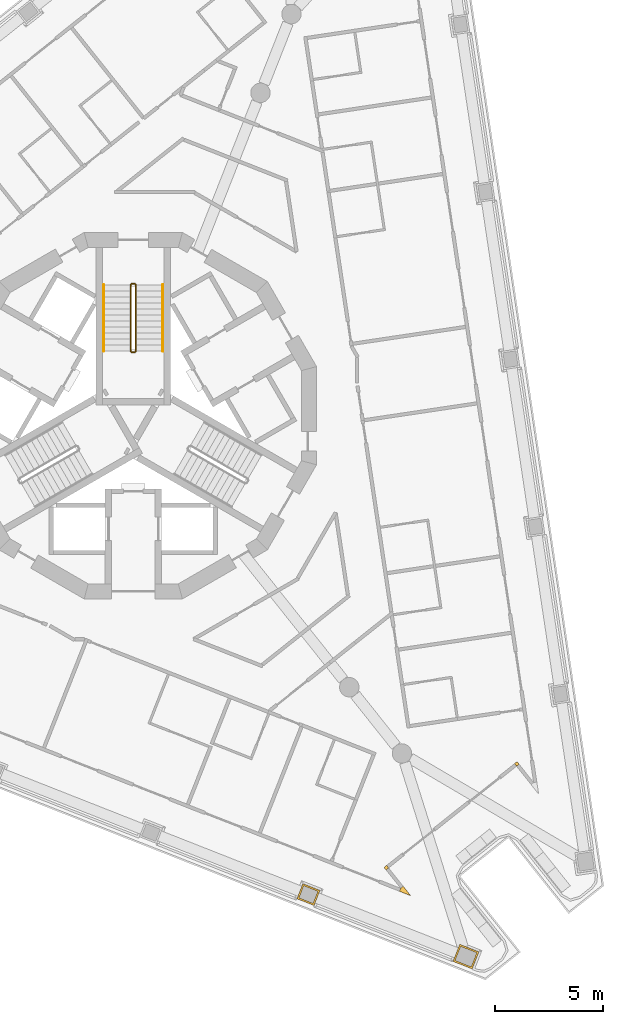
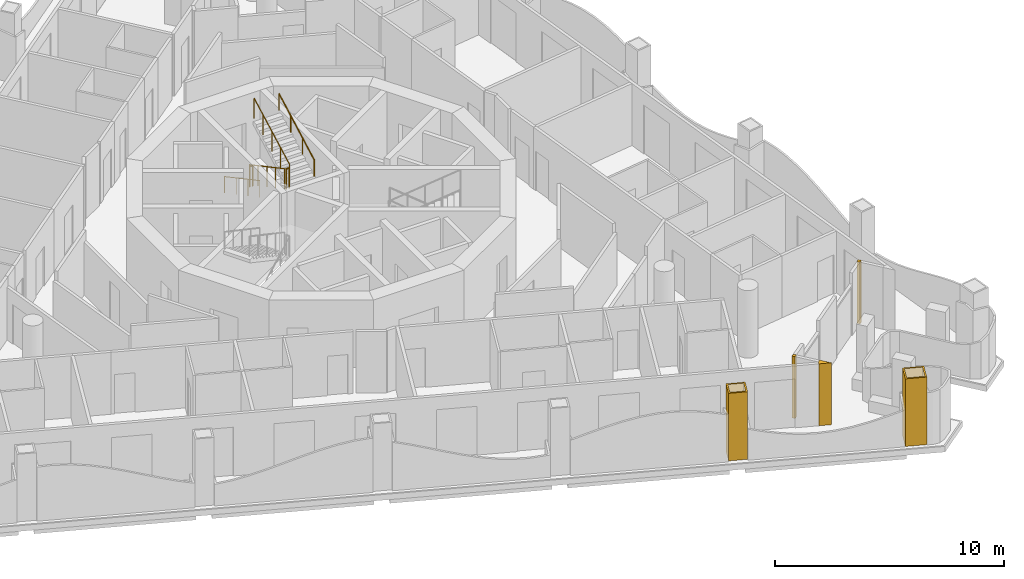
# One storey, part 13 of 16: 6 railings, 5 coverings.
"""IFC4 building model written with IfcOpenShell, lengths in metres."""

import ifcopenshell
import ifcopenshell.guid

model = None  # the IFC model being written
_history = None  # IfcOwnerHistory: only IFC2X3 demands one
_inside = {}  # id of a spatial element -> (the spatial element, [elements in it])
_under = {}  # id of a project, library or spatial element -> (it, [spatial elements below it])
_declared = {}  # id of a project -> (the project, [libraries it declares])
_typed = {}  # id of a type object -> (the type object, [elements of that type])
_made_of = {}  # id of a material, layer set ... -> (it, [elements and type objects made of it])


def new_model(schema):
    """Start an empty IFC model of exactly this schema.

    Asked for "IFC4X3", IfcOpenShell would pick the latest addendum, in which some entities
    have other attributes; the version numbers below select the first issue.
    IFC2X3 requires an IfcOwnerHistory on every rooted entity: one is made here for all.
    """
    global model, _history
    if schema == "IFC4X3":
        model = ifcopenshell.file(schema_version=(4, 3, 0, 0))
    else:
        model = ifcopenshell.file(schema=schema)
    _inside.clear()
    _under.clear()
    _declared.clear()
    _typed.clear()
    _made_of.clear()
    _history = None
    if model.schema == "IFC2X3":
        org = make("IfcOrganization", Name="unknown")
        user = make(
            "IfcPersonAndOrganization",
            ThePerson=make("IfcPerson", FamilyName="unknown"),
            TheOrganization=org,
        )
        app = make(
            "IfcApplication",
            ApplicationDeveloper=org,
            Version="unknown",
            ApplicationFullName="unknown",
            ApplicationIdentifier="unknown",
        )
        _history = make(
            "IfcOwnerHistory",
            OwningUser=user,
            OwningApplication=app,
            ChangeAction="ADDED",
            CreationDate=0,
        )
    return model


def make(cls, **values):
    """One entity of the class cls with the attributes given. An attribute that is None is left unset."""
    return model.create_entity(
        cls, **{name: value for name, value in values.items() if value is not None}
    )


def rooted(cls, **values):
    """An entity with a GlobalId (a new one), such as an element, a storey or a relation."""
    return make(cls, GlobalId=ifcopenshell.guid.new(), OwnerHistory=_history, **values)


def si_unit(unit_type, name, prefix=None):
    """IfcSIUnit, for example si_unit("LENGTHUNIT", "METRE", prefix="MILLI")."""
    return make("IfcSIUnit", UnitType=unit_type, Prefix=prefix, Name=name)


def assignment(units):
    """IfcUnitAssignment: the units of a project."""
    return None if units is None else make("IfcUnitAssignment", Units=units)


def point(xyz):
    """IfcCartesianPoint."""
    return None if xyz is None else make("IfcCartesianPoint", Coordinates=xyz)


def direction(xyz):
    """IfcDirection."""
    return None if xyz is None else make("IfcDirection", DirectionRatios=xyz)


def frame(location, z_axis=None, x_axis=None):
    """IfcAxis2Placement3D, a coordinate frame: its origin and axes. An axis left out is left unset."""
    return make(
        "IfcAxis2Placement3D",
        Location=point(location),
        Axis=direction(z_axis),
        RefDirection=direction(x_axis),
    )


def frame_2d(location, x_axis=None):
    """IfcAxis2Placement2D, a coordinate frame in the plane: its origin and x axis."""
    return make(
        "IfcAxis2Placement2D", Location=point(location), RefDirection=direction(x_axis)
    )


def origin():
    """The frame at (0, 0, 0) with its axes left unset."""
    return frame((0.0, 0.0, 0.0))


def origin_2d():
    """The frame at (0, 0) in the plane with its x axis left unset."""
    return frame_2d((0.0, 0.0))


def place(relative_to, where):
    """IfcLocalPlacement: puts the frame where relative to a parent placement (None: the world)."""
    return make(
        "IfcLocalPlacement", PlacementRelTo=relative_to, RelativePlacement=where
    )


def context(
    kind, dimensions, precision=None, world=None, true_north=None, identifier=None
):
    """IfcGeometricRepresentationContext, for example the 3D "Model" context."""
    return make(
        "IfcGeometricRepresentationContext",
        ContextIdentifier=identifier,
        ContextType=kind,
        CoordinateSpaceDimension=dimensions,
        Precision=precision,
        WorldCoordinateSystem=world,
        TrueNorth=true_north,
    )


def subcontext(parent, identifier, kind, view, scale=None):
    """IfcGeometricRepresentationSubContext, for example "Body" below "Model"."""
    return make(
        "IfcGeometricRepresentationSubContext",
        ContextIdentifier=identifier,
        ContextType=kind,
        ParentContext=parent,
        TargetScale=scale,
        TargetView=view,
    )


def project(units=None, contexts=None):
    """IfcProject with its units and contexts."""
    return rooted(
        "IfcProject",
        Name="project",
        RepresentationContexts=contexts,
        UnitsInContext=assignment(units),
    )


def spatial(cls, under=None, at=None, **own):
    """A site, building, storey or space (cls), placed at a placement, below another one or the project."""
    s = rooted(cls, ObjectPlacement=at, **own)
    if under is not None:
        _under.setdefault(under.id(), (under, []))[1].append(s)
    return s


def polyline(points):
    """IfcPolyline through the points."""
    return make("IfcPolyline", Points=[point(p) for p in points])


def profile(cls, at=None, kind="AREA", **sizes):
    """A parametric profile (cls). Its sizes go by their IFC names, for example OverallWidth=200.0."""
    return make(cls, ProfileType=kind, Position=at, **sizes)


def circle(**sizes):
    """IfcCircleProfileDef."""
    return profile("IfcCircleProfileDef", **sizes)


def outline(outer, holes=None, kind="AREA"):
    """IfcArbitraryClosedProfileDef: a profile drawn as a closed curve; with holes, ...WithVoids."""
    if holes is None:
        return make("IfcArbitraryClosedProfileDef", ProfileType=kind, OuterCurve=outer)
    return make(
        "IfcArbitraryProfileDefWithVoids",
        ProfileType=kind,
        OuterCurve=outer,
        InnerCurves=holes,
    )


def extrude(swept, where, along, depth):
    """IfcExtrudedAreaSolid: the profile swept, set in the frame where, extruded along a direction by depth."""
    return make(
        "IfcExtrudedAreaSolid",
        SweptArea=swept,
        Position=where,
        ExtrudedDirection=direction(along),
        Depth=depth,
    )


def shape(context_of_items, identifier, shape_type, items):
    """IfcShapeRepresentation: the items that make up one representation, for example the "Body"."""
    return make(
        "IfcShapeRepresentation",
        ContextOfItems=context_of_items,
        RepresentationIdentifier=identifier,
        RepresentationType=shape_type,
        Items=items,
    )


def material(Name=None, Category=None):
    """IfcMaterial."""
    return make("IfcMaterial", Name=Name, Category=Category)


def layer(
    of_material, thickness, ventilated=None, Name=None, Category=None, Priority=None
):
    """IfcMaterialLayer: one layer of a wall or slab, of a material (None: an air gap)."""
    return make(
        "IfcMaterialLayer",
        Material=of_material,
        LayerThickness=thickness,
        IsVentilated=ventilated,
        Name=Name,
        Category=Category,
        Priority=Priority,
    )


def layer_set(layers, Name=None):
    """IfcMaterialLayerSet."""
    return make("IfcMaterialLayerSet", MaterialLayers=layers, LayerSetName=Name)


def made_of(thing, what):
    """Note that an element or type object is made of a material, layer set ...; save() writes the relation."""
    if what is not None:
        _made_of.setdefault(what.id(), (what, []))[1].append(thing)
    return thing


def type_object(cls, material=None, **own):
    """A type object (cls), such as IfcWallType, which elements share."""
    return made_of(rooted(cls, **own), material)


def element(
    cls,
    number,
    at=None,
    inside=None,
    cuts=None,
    type_object=None,
    material=None,
    context=None,
    identifier="Body",
    shape_type=None,
    held_by="IfcProductDefinitionShape",
    body=None,
    shapes=None,
    **own,
):
    """One element of the class cls, such as IfcWall. Its Tag is "e" and its number.

    at: its placement. inside: the storey or other place that contains it. cuts: it is an
    opening in that element (IfcRelVoidsElement). A single representation is given by context,
    identifier, shape_type and body (its items); several are given by shapes. held_by: the class
    of the entity that holds the representations. save() writes the other relations.
    """
    e = rooted(cls, Tag="e%d" % number, ObjectPlacement=at, **own)
    if body is not None:
        shapes = [shape(context, identifier, shape_type, body)]
    if shapes is not None:
        e.Representation = make(held_by, Representations=shapes)
    if inside is not None:
        _inside.setdefault(inside.id(), (inside, []))[1].append(e)
    if cuts is not None:
        rooted(
            "IfcRelVoidsElement", RelatingBuildingElement=cuts, RelatedOpeningElement=e
        )
    if type_object is not None:
        _typed.setdefault(type_object.id(), (type_object, []))[1].append(e)
    return made_of(e, material)


def aggregate(whole, parts):
    """IfcRelAggregates: a whole, such as a stair, and the parts it consists of."""
    return rooted("IfcRelAggregates", RelatingObject=whole, RelatedObjects=parts)


def save(model, path):
    """Write the relations noted so far, then the file.

    IfcRelAggregates (storeys below a building ...), IfcRelContainedInSpatialStructure (elements
    in a storey), IfcRelDefinesByType, IfcRelAssociatesMaterial and IfcRelDeclares: one each for
    every whole, place, type object, material and project.
    """
    for whole, parts in _under.values():
        aggregate(whole, parts)
    for where, things in _inside.values():
        rooted(
            "IfcRelContainedInSpatialStructure",
            RelatedElements=things,
            RelatingStructure=where,
        )
    for kind, things in _typed.values():
        rooted("IfcRelDefinesByType", RelatedObjects=things, RelatingType=kind)
    for what, things in _made_of.values():
        rooted("IfcRelAssociatesMaterial", RelatedObjects=things, RelatingMaterial=what)
    for by, libraries in _declared.values():
        rooted("IfcRelDeclares", RelatingContext=by, RelatedDefinitions=libraries)
    model.write(path)


model = new_model("IFC4")

# Units and contexts
model_context = context("Model", 3, precision=1e-05, world=origin(), true_north=direction((0.0, 1.0)))
body_context = subcontext(model_context, "Body", "Model", "MODEL_VIEW")
ifc_project = project(units=[si_unit("LENGTHUNIT", "METRE"), si_unit("AREAUNIT", "SQUARE_METRE"), si_unit("VOLUMEUNIT", "CUBIC_METRE"), si_unit("PLANEANGLEUNIT", "RADIAN"), si_unit("MASSUNIT", "GRAM", prefix="KILO")], contexts=[model_context])

# Site, building, storey
site_placement = place(None, origin())
site = spatial("IfcSite", under=ifc_project, at=site_placement, CompositionType="ELEMENT")
building_placement = place(site_placement, origin())
building = spatial("IfcBuilding", under=site, at=building_placement, Name="Trine Commons Tower", CompositionType="ELEMENT")
storey_placement = place(building_placement, frame((0.0, 0.0, 201.60009765625)))
storey = spatial("IfcBuildingStorey", under=building, at=storey_placement, Name="L52", CompositionType="ELEMENT", Elevation=201.60009765625)

# Coverings
ifc_material_1 = material(Name="Aluminium-framed insulated wall panel", Category="aluminium")
ifc_layer_1 = layer(ifc_material_1, 0.14990234375)
ifc_layer_set_1 = layer_set([ifc_layer_1], Name="Aluminium-framed insulated wall panel")
covering_type_1 = type_object("IfcCoveringType", Name="Glazing corner post, aluminium", PredefinedType="CLADDING", material=ifc_layer_set_1)
covering_1_placement = place(storey_placement, origin())
element("IfcCovering", 1, at=covering_1_placement, inside=storey, type_object=covering_type_1, Name="Glazing corner post 6-07", PredefinedType="CLADDING", context=body_context, shape_type="SweptSolid", body=[
    extrude(outline(polyline([(97.682861328125, 46.35791015625), (97.7763671875, 46.240478515625), (97.7763671875, 46.240478515625), (97.893798828125, 46.333740234375), (97.80029296875, 46.451171875), (97.80029296875, 46.451171875), (97.682861328125, 46.35791015625)])), origin(), (0.0, 0.0, 1.0), 3.2998046875),
])
covering_2_placement = place(storey_placement, origin())
element("IfcCovering", 2, at=covering_2_placement, inside=storey, type_object=covering_type_1, Name="Glazing corner post 6-08", PredefinedType="CLADDING", context=body_context, shape_type="SweptSolid", body=[
    extrude(outline(polyline([(91.726806640625, 41.42822265625), (91.843994140625, 41.521728515625), (91.750732421875, 41.63916015625), (91.63330078125, 41.545654296875), (91.726806640625, 41.42822265625)])), origin(), (0.0, 0.0, 1.0), 3.2998046875),
])
covering_3_placement = place(storey_placement, origin())
element("IfcCovering", 3, at=covering_3_placement, inside=storey, type_object=covering_type_1, Name="Glazing corner post 6-09", PredefinedType="CLADDING", context=body_context, shape_type="SweptSolid", body=[
    extrude(outline(polyline([(92.34765625, 40.439208984375), (92.868408203125, 40.23388671875), (92.52001953125, 40.672119140625), (92.402587890625, 40.57861328125), (92.34765625, 40.439208984375)])), origin(), (0.0, 0.0, 1.0), 3.2998046875),
])
ifc_material_2 = material(Name="Limestone, honed", Category="masonry")
ifc_layer_2 = layer(ifc_material_2, 0.074951171875)
ifc_layer_set_2 = layer_set([ifc_layer_2], Name="Limestone, honed")
covering_type_2 = type_object("IfcCoveringType", Name="Limestone column cladding 75", PredefinedType="CLADDING", material=ifc_layer_set_2)
covering_4_placement = place(storey_placement, origin())
element("IfcCovering", 4, at=covering_4_placement, inside=storey, type_object=covering_type_2, Name="Limestone pier cladding 6-01", PredefinedType="CLADDING", context=body_context, shape_type="SweptSolid", body=[
    extrude(outline(polyline([(95.143310546875, 37.978271484375), (94.831787109375, 37.1875), (95.715576171875, 36.839111328125), (96.027099609375, 37.6298828125), (95.143310546875, 37.978271484375)]), holes=[polyline([(95.185546875, 37.880859375), (94.928955078125, 37.229736328125), (95.67333984375, 36.9365234375), (95.9296875, 37.587646484375), (95.185546875, 37.880859375)])]), origin(), (0.0, 0.0, 1.0), 3.599853515625),
])
covering_5_placement = place(storey_placement, origin())
element("IfcCovering", 5, at=covering_5_placement, inside=storey, type_object=covering_type_2, Name="Limestone pier cladding 6-02", PredefinedType="CLADDING", context=body_context, shape_type="SweptSolid", body=[
    extrude(outline(polyline([(87.8671875, 40.790771484375), (87.59228515625, 40.093017578125), (88.383056640625, 39.78125), (88.657958984375, 40.47900390625), (87.8671875, 40.790771484375)]), holes=[polyline([(87.909423828125, 40.693359375), (87.689453125, 40.13525390625), (88.3408203125, 39.878662109375), (88.560791015625, 40.436767578125), (87.909423828125, 40.693359375)])]), origin(), (0.0, 0.0, 1.0), 3.599853515625),
])

# Railings
ifc_material_3 = material(Name="Stainless steel balustrade", Category="steel")
railing_type_1 = type_object("IfcRailingType", Name="Stair guard, steel balustrade 1100", PredefinedType="GUARDRAIL", material=ifc_material_3)
railing_1_placement = place(storey_placement, frame((79.875, 68.570556640625, 0.14990234375)))
element("IfcRailing", 6, at=railing_1_placement, inside=storey, type_object=railing_type_1, Name="L52 ST1C stair guard 1", PredefinedType="GUARDRAIL", context=body_context, shape_type="SweptSolid", body=[
    extrude(circle(Radius=0.02392578125, at=origin_2d()), frame((0.0, 0.0, 1.076171875), z_axis=(0.0, -0.881496589024, 0.472190389079), x_axis=(1.0, 0.0, 0.0)), (0.0, 0.0, 1.0), 3.494140625),
    extrude(circle(Radius=0.02099609375, at=origin_2d()), origin(), (0.0, 0.0, 1.0), 1.052001953125),
    extrude(circle(Radius=0.02099609375, at=origin_2d()), frame((0.0, -0.77001953125, 0.41259765625)), (0.0, 0.0, 1.0), 1.052001953125),
    extrude(circle(Radius=0.02099609375, at=origin_2d()), frame((0.0, -1.5400390625, 0.824951171875)), (0.0, 0.0, 1.0), 1.052001953125),
    extrude(circle(Radius=0.02099609375, at=origin_2d()), frame((0.0, -2.31005859375, 1.2373046875)), (0.0, 0.0, 1.0), 1.052001953125),
    extrude(circle(Radius=0.02099609375, at=origin_2d()), frame((0.0, -3.080078125, 1.64990234375)), (0.0, 0.0, 1.0), 1.052001953125),
])
railing_2_placement = place(storey_placement, frame((79.925048828125, 65.440673828125, 1.7998046875)))
element("IfcRailing", 7, at=railing_2_placement, inside=storey, type_object=railing_type_1, Name="L52 ST1C stair guard 2", PredefinedType="GUARDRAIL", context=body_context, shape_type="SweptSolid", body=[
    extrude(circle(Radius=0.02392578125, at=origin_2d()), frame((0.0, 0.0, 1.076171875), z_axis=(1.0, 0.0, 0.0), x_axis=(0.0, 1.0, 0.0)), (0.0, 0.0, 1.0), 0.14990234375),
    extrude(circle(Radius=0.02099609375, at=origin_2d()), origin(), (0.0, 0.0, 1.0), 1.052001953125),
    extrude(circle(Radius=0.02099609375, at=origin_2d()), frame((0.14990234375, 0.0, 0.0)), (0.0, 0.0, 1.0), 1.052001953125),
])
railing_3_placement = place(storey_placement, frame((80.125, 65.490478515625, 1.949951171875)))
element("IfcRailing", 8, at=railing_3_placement, inside=storey, type_object=railing_type_1, Name="L52 ST1C stair guard 3", PredefinedType="GUARDRAIL", context=body_context, shape_type="SweptSolid", body=[
    extrude(circle(Radius=0.02392578125, at=origin_2d()), frame((0.0, 0.0, 1.076171875), z_axis=(0.0, 0.881496589024, 0.472190389079), x_axis=(-1.0, 0.0, 0.0)), (0.0, 0.0, 1.0), 3.494140625),
    extrude(circle(Radius=0.02099609375, at=origin_2d()), origin(), (0.0, 0.0, 1.0), 1.052001953125),
    extrude(circle(Radius=0.02099609375, at=origin_2d()), frame((0.0, 0.77001953125, 0.41259765625)), (0.0, 0.0, 1.0), 1.052001953125),
    extrude(circle(Radius=0.02099609375, at=origin_2d()), frame((0.0, 1.5400390625, 0.824951171875)), (0.0, 0.0, 1.0), 1.052001953125),
    extrude(circle(Radius=0.02099609375, at=origin_2d()), frame((0.0, 2.31005859375, 1.2373046875)), (0.0, 0.0, 1.0), 1.052001953125),
    extrude(circle(Radius=0.02099609375, at=origin_2d()), frame((0.0, 3.080078125, 1.64990234375)), (0.0, 0.0, 1.0), 1.052001953125),
])
railing_4_placement = place(storey_placement, frame((79.925048828125, 68.62060546875, 0.0)))
element("IfcRailing", 9, at=railing_4_placement, inside=storey, type_object=railing_type_1, Name="L52 ST1C stair guard 4", PredefinedType="GUARDRAIL", context=body_context, shape_type="SweptSolid", body=[
    extrude(circle(Radius=0.02392578125, at=origin_2d()), frame((0.0, 0.0, 1.076171875), z_axis=(1.0, 0.0, 0.0), x_axis=(0.0, 1.0, 0.0)), (0.0, 0.0, 1.0), 0.14990234375),
    extrude(circle(Radius=0.02099609375, at=origin_2d()), origin(), (0.0, 0.0, 1.0), 1.052001953125),
    extrude(circle(Radius=0.02099609375, at=origin_2d()), frame((0.14990234375, 0.0, 0.0)), (0.0, 0.0, 1.0), 1.052001953125),
])
ifc_material_4 = material(Name="Stainless steel handrail", Category="steel")
railing_type_2 = type_object("IfcRailingType", Name="Stair handrail, steel 900", PredefinedType="HANDRAIL", material=ifc_material_4)
railing_5_placement = place(storey_placement, frame((78.625, 68.570556640625, 0.14990234375)))
element("IfcRailing", 10, at=railing_5_placement, inside=storey, type_object=railing_type_2, Name="L52 ST1C stair handrail 1", PredefinedType="HANDRAIL", context=body_context, shape_type="SweptSolid", body=[
    extrude(circle(Radius=0.02099609375, at=origin_2d()), frame((0.0, 0.0, 0.87890625), z_axis=(0.0, -0.881496589024, 0.472190389079), x_axis=(1.0, 0.0, 0.0)), (0.0, 0.0, 1.0), 3.494140625),
    extrude(circle(Radius=0.01513671875, at=origin_2d()), origin(), (0.0, 0.0, 1.0), 0.85791015625),
    extrude(circle(Radius=0.01513671875, at=origin_2d()), frame((0.0, -1.026611328125, 0.550048828125)), (0.0, 0.0, 1.0), 0.85791015625),
    extrude(circle(Radius=0.01513671875, at=origin_2d()), frame((0.0, -2.053466796875, 1.099853515625)), (0.0, 0.0, 1.0), 0.85791015625),
    extrude(circle(Radius=0.01513671875, at=origin_2d()), frame((0.0, -3.080078125, 1.64990234375)), (0.0, 0.0, 1.0), 0.85791015625),
])
railing_6_placement = place(storey_placement, frame((81.375, 65.490478515625, 1.949951171875)))
element("IfcRailing", 11, at=railing_6_placement, inside=storey, type_object=railing_type_2, Name="L52 ST1C stair handrail 2", PredefinedType="HANDRAIL", context=body_context, shape_type="SweptSolid", body=[
    extrude(circle(Radius=0.02099609375, at=origin_2d()), frame((0.0, 0.0, 0.87890625), z_axis=(0.0, 0.881496589024, 0.472190389079), x_axis=(-1.0, 0.0, 0.0)), (0.0, 0.0, 1.0), 3.494140625),
    extrude(circle(Radius=0.01513671875, at=origin_2d()), origin(), (0.0, 0.0, 1.0), 0.85791015625),
    extrude(circle(Radius=0.01513671875, at=origin_2d()), frame((0.0, 1.026611328125, 0.550048828125)), (0.0, 0.0, 1.0), 0.85791015625),
    extrude(circle(Radius=0.01513671875, at=origin_2d()), frame((0.0, 2.053466796875, 1.099853515625)), (0.0, 0.0, 1.0), 0.85791015625),
    extrude(circle(Radius=0.01513671875, at=origin_2d()), frame((0.0, 3.080078125, 1.64990234375)), (0.0, 0.0, 1.0), 0.85791015625),
])

save(model, "model.ifc")
